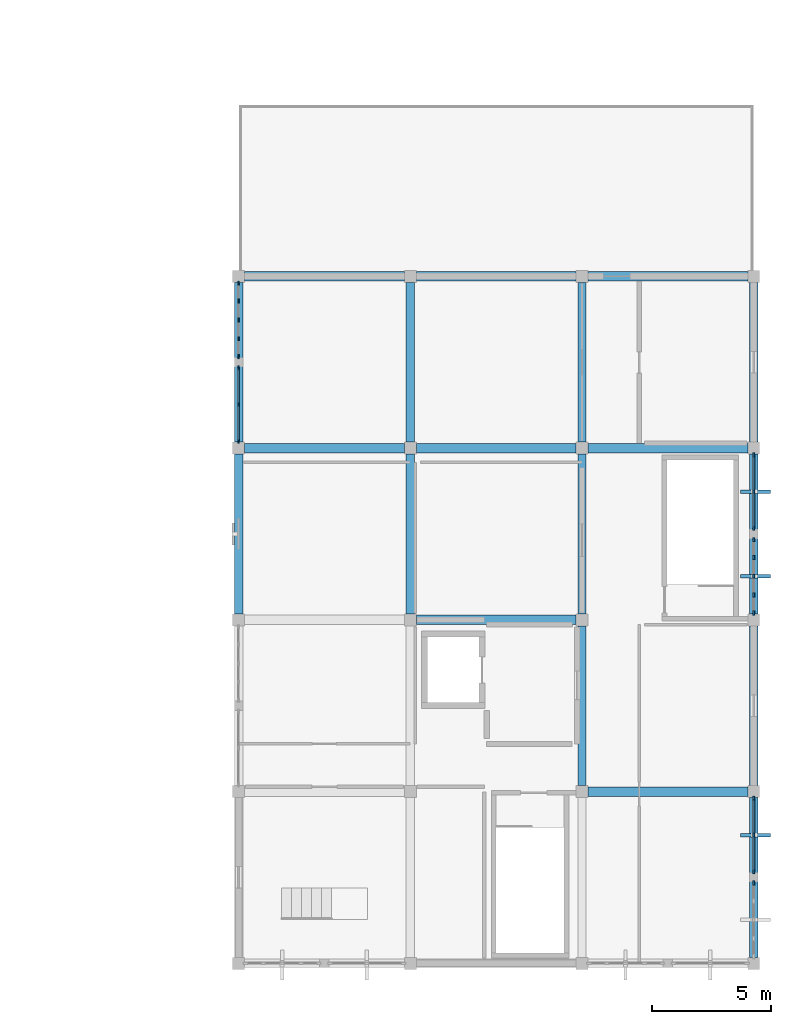
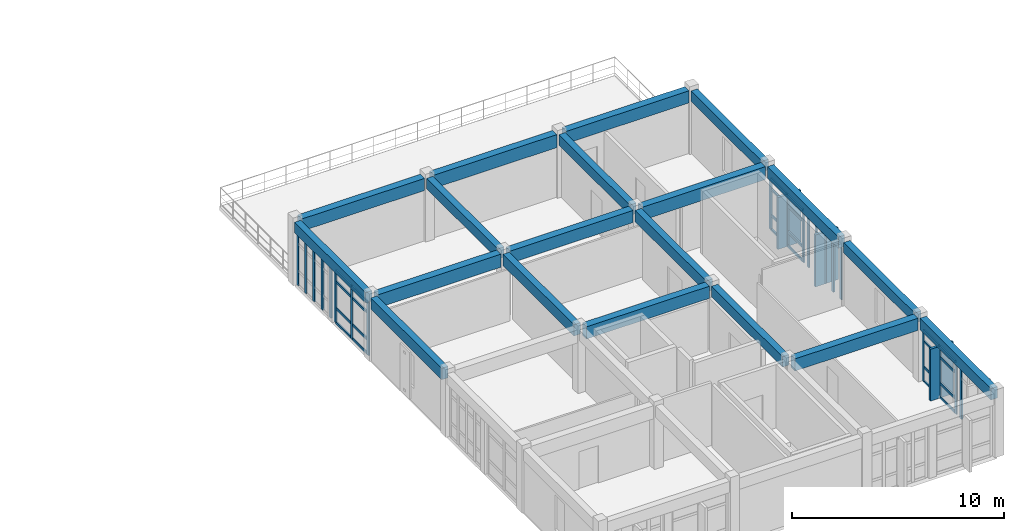
# One storey, part 3 of 14: 47 members, 19 beams, 6 elements without a shape of their own.
"""IFC4 building model written with IfcOpenShell, lengths in metres."""

import ifcopenshell
import ifcopenshell.guid

model = None  # the IFC model being written
_history = None  # IfcOwnerHistory: only IFC2X3 demands one
_inside = {}  # id of a spatial element -> (the spatial element, [elements in it])
_under = {}  # id of a project, library or spatial element -> (it, [spatial elements below it])
_declared = {}  # id of a project -> (the project, [libraries it declares])
_typed = {}  # id of a type object -> (the type object, [elements of that type])
_made_of = {}  # id of a material, layer set ... -> (it, [elements and type objects made of it])


def new_model(schema):
    """Start an empty IFC model of exactly this schema.

    Asked for "IFC4X3", IfcOpenShell would pick the latest addendum, in which some entities
    have other attributes; the version numbers below select the first issue.
    IFC2X3 requires an IfcOwnerHistory on every rooted entity: one is made here for all.
    """
    global model, _history
    if schema == "IFC4X3":
        model = ifcopenshell.file(schema_version=(4, 3, 0, 0))
    else:
        model = ifcopenshell.file(schema=schema)
    _inside.clear()
    _under.clear()
    _declared.clear()
    _typed.clear()
    _made_of.clear()
    _history = None
    if model.schema == "IFC2X3":
        org = make("IfcOrganization", Name="unknown")
        user = make(
            "IfcPersonAndOrganization",
            ThePerson=make("IfcPerson", FamilyName="unknown"),
            TheOrganization=org,
        )
        app = make(
            "IfcApplication",
            ApplicationDeveloper=org,
            Version="unknown",
            ApplicationFullName="unknown",
            ApplicationIdentifier="unknown",
        )
        _history = make(
            "IfcOwnerHistory",
            OwningUser=user,
            OwningApplication=app,
            ChangeAction="ADDED",
            CreationDate=0,
        )
    return model


def make(cls, **values):
    """One entity of the class cls with the attributes given. An attribute that is None is left unset."""
    return model.create_entity(
        cls, **{name: value for name, value in values.items() if value is not None}
    )


def rooted(cls, **values):
    """An entity with a GlobalId (a new one), such as an element, a storey or a relation."""
    return make(cls, GlobalId=ifcopenshell.guid.new(), OwnerHistory=_history, **values)


def si_unit(unit_type, name, prefix=None):
    """IfcSIUnit, for example si_unit("LENGTHUNIT", "METRE", prefix="MILLI")."""
    return make("IfcSIUnit", UnitType=unit_type, Prefix=prefix, Name=name)


def assignment(units):
    """IfcUnitAssignment: the units of a project."""
    return None if units is None else make("IfcUnitAssignment", Units=units)


def point(xyz):
    """IfcCartesianPoint."""
    return None if xyz is None else make("IfcCartesianPoint", Coordinates=xyz)


def direction(xyz):
    """IfcDirection."""
    return None if xyz is None else make("IfcDirection", DirectionRatios=xyz)


def frame(location, z_axis=None, x_axis=None):
    """IfcAxis2Placement3D, a coordinate frame: its origin and axes. An axis left out is left unset."""
    return make(
        "IfcAxis2Placement3D",
        Location=point(location),
        Axis=direction(z_axis),
        RefDirection=direction(x_axis),
    )


def frame_2d(location, x_axis=None):
    """IfcAxis2Placement2D, a coordinate frame in the plane: its origin and x axis."""
    return make(
        "IfcAxis2Placement2D", Location=point(location), RefDirection=direction(x_axis)
    )


def origin():
    """The frame at (0, 0, 0) with its axes left unset."""
    return frame((0.0, 0.0, 0.0))


def origin_2d():
    """The frame at (0, 0) in the plane with its x axis left unset."""
    return frame_2d((0.0, 0.0))


def place(relative_to, where):
    """IfcLocalPlacement: puts the frame where relative to a parent placement (None: the world)."""
    return make(
        "IfcLocalPlacement", PlacementRelTo=relative_to, RelativePlacement=where
    )


def context(
    kind, dimensions, precision=None, world=None, true_north=None, identifier=None
):
    """IfcGeometricRepresentationContext, for example the 3D "Model" context."""
    return make(
        "IfcGeometricRepresentationContext",
        ContextIdentifier=identifier,
        ContextType=kind,
        CoordinateSpaceDimension=dimensions,
        Precision=precision,
        WorldCoordinateSystem=world,
        TrueNorth=true_north,
    )


def subcontext(parent, identifier, kind, view, scale=None):
    """IfcGeometricRepresentationSubContext, for example "Body" below "Model"."""
    return make(
        "IfcGeometricRepresentationSubContext",
        ContextIdentifier=identifier,
        ContextType=kind,
        ParentContext=parent,
        TargetScale=scale,
        TargetView=view,
    )


def project(units=None, contexts=None):
    """IfcProject with its units and contexts."""
    return rooted(
        "IfcProject",
        Name="project",
        RepresentationContexts=contexts,
        UnitsInContext=assignment(units),
    )


def spatial(cls, under=None, at=None, **own):
    """A site, building, storey or space (cls), placed at a placement, below another one or the project."""
    s = rooted(cls, ObjectPlacement=at, **own)
    if under is not None:
        _under.setdefault(under.id(), (under, []))[1].append(s)
    return s


def profile(cls, at=None, kind="AREA", **sizes):
    """A parametric profile (cls). Its sizes go by their IFC names, for example OverallWidth=200.0."""
    return make(cls, ProfileType=kind, Position=at, **sizes)


def rectangle(**sizes):
    """IfcRectangleProfileDef."""
    return profile("IfcRectangleProfileDef", **sizes)


def extrude(swept, where, along, depth):
    """IfcExtrudedAreaSolid: the profile swept, set in the frame where, extruded along a direction by depth."""
    return make(
        "IfcExtrudedAreaSolid",
        SweptArea=swept,
        Position=where,
        ExtrudedDirection=direction(along),
        Depth=depth,
    )


def shape(context_of_items, identifier, shape_type, items):
    """IfcShapeRepresentation: the items that make up one representation, for example the "Body"."""
    return make(
        "IfcShapeRepresentation",
        ContextOfItems=context_of_items,
        RepresentationIdentifier=identifier,
        RepresentationType=shape_type,
        Items=items,
    )


def material(Name=None, Category=None):
    """IfcMaterial."""
    return make("IfcMaterial", Name=Name, Category=Category)


def layer(
    of_material, thickness, ventilated=None, Name=None, Category=None, Priority=None
):
    """IfcMaterialLayer: one layer of a wall or slab, of a material (None: an air gap)."""
    return make(
        "IfcMaterialLayer",
        Material=of_material,
        LayerThickness=thickness,
        IsVentilated=ventilated,
        Name=Name,
        Category=Category,
        Priority=Priority,
    )


def layer_set(layers, Name=None):
    """IfcMaterialLayerSet."""
    return make("IfcMaterialLayerSet", MaterialLayers=layers, LayerSetName=Name)


def material_profile(
    of_material, cross_section, Name=None, Category=None, Priority=None
):
    """IfcMaterialProfile: a cross section and its material."""
    return make(
        "IfcMaterialProfile",
        Name=Name,
        Material=of_material,
        Profile=cross_section,
        Priority=Priority,
        Category=Category,
    )


def profile_set(profiles, Name=None, composite=None):
    """IfcMaterialProfileSet."""
    return make(
        "IfcMaterialProfileSet",
        Name=Name,
        MaterialProfiles=profiles,
        CompositeProfile=composite,
    )


def made_of(thing, what):
    """Note that an element or type object is made of a material, layer set ...; save() writes the relation."""
    if what is not None:
        _made_of.setdefault(what.id(), (what, []))[1].append(thing)
    return thing


def type_object(cls, material=None, **own):
    """A type object (cls), such as IfcWallType, which elements share."""
    return made_of(rooted(cls, **own), material)


def element(
    cls,
    number,
    at=None,
    inside=None,
    cuts=None,
    type_object=None,
    material=None,
    context=None,
    identifier="Body",
    shape_type=None,
    held_by="IfcProductDefinitionShape",
    body=None,
    shapes=None,
    **own,
):
    """One element of the class cls, such as IfcWall. Its Tag is "e" and its number.

    at: its placement. inside: the storey or other place that contains it. cuts: it is an
    opening in that element (IfcRelVoidsElement). A single representation is given by context,
    identifier, shape_type and body (its items); several are given by shapes. held_by: the class
    of the entity that holds the representations. save() writes the other relations.
    """
    e = rooted(cls, Tag="e%d" % number, ObjectPlacement=at, **own)
    if body is not None:
        shapes = [shape(context, identifier, shape_type, body)]
    if shapes is not None:
        e.Representation = make(held_by, Representations=shapes)
    if inside is not None:
        _inside.setdefault(inside.id(), (inside, []))[1].append(e)
    if cuts is not None:
        rooted(
            "IfcRelVoidsElement", RelatingBuildingElement=cuts, RelatedOpeningElement=e
        )
    if type_object is not None:
        _typed.setdefault(type_object.id(), (type_object, []))[1].append(e)
    return made_of(e, material)


def aggregate(whole, parts):
    """IfcRelAggregates: a whole, such as a stair, and the parts it consists of."""
    return rooted("IfcRelAggregates", RelatingObject=whole, RelatedObjects=parts)


def save(model, path):
    """Write the relations noted so far, then the file.

    IfcRelAggregates (storeys below a building ...), IfcRelContainedInSpatialStructure (elements
    in a storey), IfcRelDefinesByType, IfcRelAssociatesMaterial and IfcRelDeclares: one each for
    every whole, place, type object, material and project.
    """
    for whole, parts in _under.values():
        aggregate(whole, parts)
    for where, things in _inside.values():
        rooted(
            "IfcRelContainedInSpatialStructure",
            RelatedElements=things,
            RelatingStructure=where,
        )
    for kind, things in _typed.values():
        rooted("IfcRelDefinesByType", RelatedObjects=things, RelatingType=kind)
    for what, things in _made_of.values():
        rooted("IfcRelAssociatesMaterial", RelatedObjects=things, RelatingMaterial=what)
    for by, libraries in _declared.values():
        rooted("IfcRelDeclares", RelatingContext=by, RelatedDefinitions=libraries)
    model.write(path)


model = new_model("IFC4")

# Units and contexts
model_context = context("Model", 3, precision=1e-05, world=origin(), true_north=direction((0.0, 1.0)))
body_context = subcontext(model_context, "Body", "Model", "MODEL_VIEW")
ifc_project = project(units=[si_unit("LENGTHUNIT", "METRE"), si_unit("AREAUNIT", "SQUARE_METRE"), si_unit("VOLUMEUNIT", "CUBIC_METRE"), si_unit("PLANEANGLEUNIT", "RADIAN"), si_unit("MASSUNIT", "GRAM", prefix="KILO")], contexts=[model_context])

# Site, building, storey
site_placement = place(None, origin())
site = spatial("IfcSite", under=ifc_project, at=site_placement, CompositionType="ELEMENT")
building_placement = place(site_placement, origin())
building = spatial("IfcBuilding", under=site, at=building_placement, Name="Koriwan Promenade Central Fire Station", CompositionType="ELEMENT")
storey_placement = place(building_placement, frame((0.0, 0.0, 21.300048828125)))
storey = spatial("IfcBuildingStorey", under=building, at=storey_placement, Name="L05", CompositionType="ELEMENT", Elevation=21.300048828125)

# Beams
ifc_material_1 = material(Name="Concrete C35/45", Category="concrete")
ifc_material_profile_1 = material_profile(ifc_material_1, rectangle(XDim=0.35009765625, YDim=0.60009765625, at=origin_2d()), Name="RC-BM-350x600")
ifc_profile_set_1 = profile_set([ifc_material_profile_1], Name="Concrete C35/45")
beam_type_1 = type_object("IfcBeamType", Name="Beam_RC-BM-350x600", PredefinedType="BEAM", material=ifc_profile_set_1)
for number, where, z_axis, x_axis, name in (
    (1, (151.199951171875, 21.85009765625, 3.349853515625), (0.0, 1.0, 0.0), (-1.0, 0.0, 0.0), "V5 L05 girder Y-1004"),
    (2, (158.39990234375, 21.85009765625, 3.349853515625), (0.0, 1.0, 0.0), (-1.0, 0.0, 0.0), "V5 L05 girder Y-1008"),
    (3, (165.60009765625, 7.449951171875, 3.349853515625), (0.0, 1.0, 0.0), (-1.0, 0.0, 0.0), "V5 L05 girder Y-1010"),
    (4, (165.60009765625, 21.85009765625, 3.349853515625), (0.0, 1.0, 0.0), (-1.0, 0.0, 0.0), "V5 L05 girder Y-1012"),
    (5, (172.800048828125, 7.449951171875, 3.349853515625), (0.0, 1.0, 0.0), (-1.0, 0.0, 0.0), "V5 L05 girder Y-1014"),
    (6, (172.800048828125, 21.85009765625, 3.349853515625), (0.0, 1.0, 0.0), (-1.0, 0.0, 0.0), "V5 L05 girder Y-1016"),
):
    element("IfcBeam", number, at=place(storey_placement, frame(where, z_axis=z_axis, x_axis=x_axis)), inside=storey, type_object=beam_type_1, Name=name, PredefinedType="BEAM", context=body_context, shape_type="SweptSolid", body=[
        extrude(rectangle(XDim=0.35009765625, YDim=0.60009765625, at=origin_2d()), origin(), (0.0, 0.0, 1.0), 6.699951171875),
    ])
ifc_material_profile_2 = material_profile(ifc_material_1, rectangle(XDim=0.35009765625, YDim=0.64990234375, at=origin_2d()), Name="RC-BM-350x650")
ifc_profile_set_2 = profile_set([ifc_material_profile_2], Name="Concrete C35/45")
beam_type_2 = type_object("IfcBeamType", Name="Beam_RC-BM-350x650", PredefinedType="BEAM", material=ifc_profile_set_2)
for number, where, z_axis, x_axis, name in (
    (7, (151.199951171875, 14.64990234375, 3.324951171875), (0.0, 1.0, 0.0), (-1.0, 0.0, 0.0), "V5 L05 girder Y-1003"),
    (8, (158.39990234375, 14.64990234375, 3.324951171875), (0.0, 1.0, 0.0), (-1.0, 0.0, 0.0), "V5 L05 girder Y-1007"),
    (9, (165.60009765625, 14.64990234375, 3.324951171875), (0.0, 1.0, 0.0), (-1.0, 0.0, 0.0), "V5 L05 girder Y-1011"),
):
    element("IfcBeam", number, at=place(storey_placement, frame(where, z_axis=z_axis, x_axis=x_axis)), inside=storey, type_object=beam_type_2, Name=name, PredefinedType="BEAM", context=body_context, shape_type="SweptSolid", body=[
        extrude(rectangle(XDim=0.35009765625, YDim=0.64990234375, at=origin_2d()), origin(), (0.0, 0.0, 1.0), 6.7001953125),
    ])
beam_1_placement = place(storey_placement, frame((172.800048828125, 0.25, 3.324951171875), z_axis=(0.0, 1.0, 0.0), x_axis=(-1.0, 0.0, 0.0)))
element("IfcBeam", 10, at=beam_1_placement, inside=storey, type_object=beam_type_2, Name="V5 L05 girder Y-1013", PredefinedType="BEAM", context=body_context, shape_type="SweptSolid", body=[
    extrude(rectangle(XDim=0.35009765625, YDim=0.64990234375, at=origin_2d()), origin(), (0.0, 0.0, 1.0), 6.699951171875),
])
beam_2_placement = place(storey_placement, frame((172.800048828125, 14.64990234375, 3.324951171875), z_axis=(0.0, 1.0, 0.0), x_axis=(-1.0, 0.0, 0.0)))
element("IfcBeam", 11, at=beam_2_placement, inside=storey, type_object=beam_type_2, Name="V5 L05 girder Y-1015", PredefinedType="BEAM", context=body_context, shape_type="SweptSolid", body=[
    extrude(rectangle(XDim=0.35009765625, YDim=0.64990234375, at=origin_2d()), origin(), (0.0, 0.0, 1.0), 6.7001953125),
])
ifc_material_profile_3 = material_profile(ifc_material_1, rectangle(XDim=0.39990234375, YDim=0.699951171875, at=origin_2d()), Name="RC-BM-400x700")
ifc_profile_set_3 = profile_set([ifc_material_profile_3], Name="Concrete C35/45")
beam_type_3 = type_object("IfcBeamType", Name="Beam_RC-BM-400x700", PredefinedType="BEAM", material=ifc_profile_set_3)
beam_3_placement = place(storey_placement, frame((165.85009765625, 7.199951171875, 3.300048828125), z_axis=(1.0, 0.0, 0.0), x_axis=(0.0, 1.0, 0.0)))
element("IfcBeam", 12, at=beam_3_placement, inside=storey, type_object=beam_type_3, Name="V5 L05 girder X-992", PredefinedType="BEAM", context=body_context, shape_type="SweptSolid", body=[
    extrude(rectangle(XDim=0.39990234375, YDim=0.699951171875, at=origin_2d()), origin(), (0.0, 0.0, 1.0), 6.699951171875),
])
for number, where, z_axis, x_axis, name in (
    (13, (158.64990234375, 14.39990234375, 3.300048828125), (1.0, 0.0, 0.0), (0.0, 1.0, 0.0), "V5 L05 girder X-994"),
    (14, (158.64990234375, 21.60009765625, 3.300048828125), (1.0, 0.0, 0.0), (0.0, 1.0, 0.0), "V5 L05 girder X-996"),
):
    element("IfcBeam", number, at=place(storey_placement, frame(where, z_axis=z_axis, x_axis=x_axis)), inside=storey, type_object=beam_type_3, Name=name, PredefinedType="BEAM", context=body_context, shape_type="SweptSolid", body=[
        extrude(rectangle(XDim=0.39990234375, YDim=0.699951171875, at=origin_2d()), origin(), (0.0, 0.0, 1.0), 6.7001953125),
    ])
for number, where, z_axis, x_axis, name in (
    (15, (151.449951171875, 28.800048828125, 3.300048828125), (1.0, 0.0, 0.0), (0.0, 1.0, 0.0), "V5 L05 girder X-998"),
    (16, (165.85009765625, 28.800048828125, 3.300048828125), (1.0, 0.0, 0.0), (0.0, 1.0, 0.0), "V5 L05 girder X-1000"),
):
    element("IfcBeam", number, at=place(storey_placement, frame(where, z_axis=z_axis, x_axis=x_axis)), inside=storey, type_object=beam_type_3, Name=name, PredefinedType="BEAM", context=body_context, shape_type="SweptSolid", body=[
        extrude(rectangle(XDim=0.39990234375, YDim=0.699951171875, at=origin_2d()), origin(), (0.0, 0.0, 1.0), 6.699951171875),
    ])
ifc_material_profile_4 = material_profile(ifc_material_1, rectangle(XDim=0.39990234375, YDim=0.75, at=origin_2d()), Name="RC-BM-400x750")
ifc_profile_set_4 = profile_set([ifc_material_profile_4], Name="Concrete C35/45")
beam_type_4 = type_object("IfcBeamType", Name="Beam_RC-BM-400x750", PredefinedType="BEAM", material=ifc_profile_set_4)
for number, where, z_axis, x_axis, name in (
    (17, (151.449951171875, 21.60009765625, 3.27490234375), (1.0, 0.0, 0.0), (0.0, 1.0, 0.0), "V5 L05 girder X-995"),
    (18, (165.85009765625, 21.60009765625, 3.27490234375), (1.0, 0.0, 0.0), (0.0, 1.0, 0.0), "V5 L05 girder X-997"),
):
    element("IfcBeam", number, at=place(storey_placement, frame(where, z_axis=z_axis, x_axis=x_axis)), inside=storey, type_object=beam_type_4, Name=name, PredefinedType="BEAM", context=body_context, shape_type="SweptSolid", body=[
        extrude(rectangle(XDim=0.39990234375, YDim=0.75, at=origin_2d()), origin(), (0.0, 0.0, 1.0), 6.699951171875),
    ])
beam_4_placement = place(storey_placement, frame((158.64990234375, 28.800048828125, 3.27490234375), z_axis=(1.0, 0.0, 0.0), x_axis=(0.0, 1.0, 0.0)))
element("IfcBeam", 19, at=beam_4_placement, inside=storey, type_object=beam_type_4, Name="V5 L05 girder X-999", PredefinedType="BEAM", context=body_context, shape_type="SweptSolid", body=[
    extrude(rectangle(XDim=0.39990234375, YDim=0.75, at=origin_2d()), origin(), (0.0, 0.0, 1.0), 6.7001953125),
])

# Curtain wall, member
ifc_material_2 = material(Name="Aluminium EN AW-6063-T6 and low-E glazing", Category="aluminium")
ifc_layer_1 = layer(ifc_material_2, 0.159912109375, Name="Aluminium EN AW-6063-T6 and low-E glazing")
ifc_layer_set_1 = layer_set([ifc_layer_1], Name="Aluminium EN AW-6063-T6 and low-E glazing")
curtain_wall_type_1 = type_object("IfcCurtainWallType", Name="CurtainWall_90_315x299", PredefinedType="USERDEFINED", material=ifc_layer_set_1)
curtain_wall_1_placement = place(storey_placement, origin())
curtain_wall_1 = element("IfcCurtainWall", 20, at=curtain_wall_1_placement, inside=storey, type_object=curtain_wall_type_1, Name="V5 L05 unitised curtain wall 277", ObjectType="UNITISED CURTAIN WALL", PredefinedType="USERDEFINED")
ifc_material_3 = material(Name="Aluminium EN AW-6063-T6", Category="aluminium")
ifc_material_profile_5 = material_profile(ifc_material_3, rectangle(XDim=0.074951171875, YDim=0.179931640625, at=origin_2d()), Name="ALU-MUL-75x180")
ifc_profile_set_5 = profile_set([ifc_material_profile_5], Name="Aluminium EN AW-6063-T6")
member_type_1 = type_object("IfcMemberType", Name="CWMullion_ALU-MUL-75x180", PredefinedType="MULLION", material=ifc_profile_set_5)
member_1_placement = place(storey_placement, frame((172.800048828125, 3.362548828125, 0.0), z_axis=(0.0, 0.0, 1.0), x_axis=(-1.0, 0.0, 0.0)))
member_1 = element("IfcMember", 21, at=member_1_placement, type_object=member_type_1, Name="CW-90 mullion 5", PredefinedType="MULLION", context=body_context, shape_type="SweptSolid", body=[
    extrude(rectangle(XDim=0.074951171875, YDim=0.179931640625, at=origin_2d()), origin(), (0.0, 0.0, 1.0), 2.989990234375),
])
aggregate(curtain_wall_1, [member_1])

# Curtain wall, members
ifc_layer_2 = layer(ifc_material_2, 0.159912109375, Name="Aluminium EN AW-6063-T6 and low-E glazing")
ifc_layer_set_2 = layer_set([ifc_layer_2], Name="Aluminium EN AW-6063-T6 and low-E glazing")
curtain_wall_type_2 = type_object("IfcCurtainWallType", Name="CurtainWall_15_315x299", PredefinedType="USERDEFINED", material=ifc_layer_set_2)
curtain_wall_2_placement = place(storey_placement, origin())
curtain_wall_2 = element("IfcCurtainWall", 22, at=curtain_wall_2_placement, inside=storey, type_object=curtain_wall_type_2, Name="V5 L05 unitised curtain wall 278", ObjectType="UNITISED CURTAIN WALL", PredefinedType="USERDEFINED")
member_2_placement = place(storey_placement, frame((172.800048828125, 3.83740234375, 0.0), z_axis=(0.0, 0.0, 1.0), x_axis=(-1.0, 0.0, 0.0)))
member_2 = element("IfcMember", 23, at=member_2_placement, type_object=member_type_1, Name="CW-15 mullion 1", PredefinedType="MULLION", context=body_context, shape_type="SweptSolid", body=[
    extrude(rectangle(XDim=0.074951171875, YDim=0.179931640625, at=origin_2d()), origin(), (0.0, 0.0, 1.0), 2.989990234375),
])
member_3_placement = place(storey_placement, frame((172.800048828125, 5.375, 0.0), z_axis=(0.0, 0.0, 1.0), x_axis=(-1.0, 0.0, 0.0)))
member_3 = element("IfcMember", 24, at=member_3_placement, type_object=member_type_1, Name="CW-15 mullion 2", PredefinedType="MULLION", context=body_context, shape_type="SweptSolid", body=[
    extrude(rectangle(XDim=0.074951171875, YDim=0.179931640625, at=origin_2d()), origin(), (0.0, 0.0, 1.0), 2.989990234375),
])
member_4_placement = place(storey_placement, frame((172.800048828125, 6.91259765625, 0.0), z_axis=(0.0, 0.0, 1.0), x_axis=(-1.0, 0.0, 0.0)))
member_4 = element("IfcMember", 25, at=member_4_placement, type_object=member_type_1, Name="CW-15 mullion 3", PredefinedType="MULLION", context=body_context, shape_type="SweptSolid", body=[
    extrude(rectangle(XDim=0.074951171875, YDim=0.179931640625, at=origin_2d()), origin(), (0.0, 0.0, 1.0), 2.989990234375),
])

curtain_wall_3_placement = place(storey_placement, origin())
curtain_wall_3 = element("IfcCurtainWall", 26, at=curtain_wall_3_placement, inside=storey, type_object=curtain_wall_type_1, Name="V5 L05 unitised curtain wall 279", ObjectType="UNITISED CURTAIN WALL", PredefinedType="USERDEFINED")
member_5_placement = place(storey_placement, frame((172.800048828125, 14.6875, 0.0), z_axis=(0.0, 0.0, 1.0), x_axis=(-1.0, 0.0, 0.0)))
member_5 = element("IfcMember", 27, at=member_5_placement, type_object=member_type_1, Name="CW-90 mullion 1", PredefinedType="MULLION", context=body_context, shape_type="SweptSolid", body=[
    extrude(rectangle(XDim=0.074951171875, YDim=0.179931640625, at=origin_2d()), origin(), (0.0, 0.0, 1.0), 2.989990234375),
])
member_6_placement = place(storey_placement, frame((172.800048828125, 15.4375, 0.0), z_axis=(0.0, 0.0, 1.0), x_axis=(-1.0, 0.0, 0.0)))
member_6 = element("IfcMember", 28, at=member_6_placement, type_object=member_type_1, Name="CW-90 mullion 2", PredefinedType="MULLION", context=body_context, shape_type="SweptSolid", body=[
    extrude(rectangle(XDim=0.074951171875, YDim=0.179931640625, at=origin_2d()), origin(), (0.0, 0.0, 1.0), 2.989990234375),
])
member_7_placement = place(storey_placement, frame((172.800048828125, 16.22509765625, 0.0), z_axis=(0.0, 0.0, 1.0), x_axis=(-1.0, 0.0, 0.0)))
member_7 = element("IfcMember", 29, at=member_7_placement, type_object=member_type_1, Name="CW-90 mullion 3", PredefinedType="MULLION", context=body_context, shape_type="SweptSolid", body=[
    extrude(rectangle(XDim=0.074951171875, YDim=0.179931640625, at=origin_2d()), origin(), (0.0, 0.0, 1.0), 2.989990234375),
])
member_8_placement = place(storey_placement, frame((172.800048828125, 17.012451171875, 0.0), z_axis=(0.0, 0.0, 1.0), x_axis=(-1.0, 0.0, 0.0)))
member_8 = element("IfcMember", 30, at=member_8_placement, type_object=member_type_1, Name="CW-90 mullion 4", PredefinedType="MULLION", context=body_context, shape_type="SweptSolid", body=[
    extrude(rectangle(XDim=0.074951171875, YDim=0.179931640625, at=origin_2d()), origin(), (0.0, 0.0, 1.0), 2.989990234375),
])
member_9_placement = place(storey_placement, frame((172.800048828125, 17.762451171875, 0.0), z_axis=(0.0, 0.0, 1.0), x_axis=(-1.0, 0.0, 0.0)))
member_9 = element("IfcMember", 31, at=member_9_placement, type_object=member_type_1, Name="CW-90 mullion 5", PredefinedType="MULLION", context=body_context, shape_type="SweptSolid", body=[
    extrude(rectangle(XDim=0.074951171875, YDim=0.179931640625, at=origin_2d()), origin(), (0.0, 0.0, 1.0), 2.989990234375),
])
aggregate(curtain_wall_3, [member_5, member_6, member_7, member_8, member_9])

curtain_wall_4_placement = place(storey_placement, origin())
curtain_wall_4 = element("IfcCurtainWall", 32, at=curtain_wall_4_placement, inside=storey, type_object=curtain_wall_type_2, Name="V5 L05 unitised curtain wall 280", ObjectType="UNITISED CURTAIN WALL", PredefinedType="USERDEFINED")
member_10_placement = place(storey_placement, frame((172.800048828125, 18.237548828125, 0.0), z_axis=(0.0, 0.0, 1.0), x_axis=(-1.0, 0.0, 0.0)))
member_10 = element("IfcMember", 33, at=member_10_placement, type_object=member_type_1, Name="CW-15 mullion 1", PredefinedType="MULLION", context=body_context, shape_type="SweptSolid", body=[
    extrude(rectangle(XDim=0.074951171875, YDim=0.179931640625, at=origin_2d()), origin(), (0.0, 0.0, 1.0), 2.989990234375),
])
member_11_placement = place(storey_placement, frame((172.800048828125, 19.77490234375, 0.0), z_axis=(0.0, 0.0, 1.0), x_axis=(-1.0, 0.0, 0.0)))
member_11 = element("IfcMember", 34, at=member_11_placement, type_object=member_type_1, Name="CW-15 mullion 2", PredefinedType="MULLION", context=body_context, shape_type="SweptSolid", body=[
    extrude(rectangle(XDim=0.074951171875, YDim=0.179931640625, at=origin_2d()), origin(), (0.0, 0.0, 1.0), 2.989990234375),
])
member_12_placement = place(storey_placement, frame((172.800048828125, 21.3125, 0.0), z_axis=(0.0, 0.0, 1.0), x_axis=(-1.0, 0.0, 0.0)))
member_12 = element("IfcMember", 35, at=member_12_placement, type_object=member_type_1, Name="CW-15 mullion 3", PredefinedType="MULLION", context=body_context, shape_type="SweptSolid", body=[
    extrude(rectangle(XDim=0.074951171875, YDim=0.179931640625, at=origin_2d()), origin(), (0.0, 0.0, 1.0), 2.989990234375),
])

ifc_layer_3 = layer(ifc_material_2, 0.159912109375, Name="Aluminium EN AW-6063-T6 and low-E glazing")
ifc_layer_set_3 = layer_set([ifc_layer_3], Name="Aluminium EN AW-6063-T6 and low-E glazing")
curtain_wall_type_3 = type_object("IfcCurtainWallType", Name="CurtainWall_91_315x304", PredefinedType="USERDEFINED", material=ifc_layer_set_3)
curtain_wall_5_placement = place(storey_placement, origin())
curtain_wall_5 = element("IfcCurtainWall", 36, at=curtain_wall_5_placement, inside=storey, type_object=curtain_wall_type_3, Name="V5 L05 unitised curtain wall 281", ObjectType="UNITISED CURTAIN WALL", PredefinedType="USERDEFINED")
member_13_placement = place(storey_placement, frame((151.199951171875, 28.512451171875, 0.0), z_axis=(0.0, 0.0, 1.0), x_axis=(1.0, 0.0, 0.0)))
member_13 = element("IfcMember", 37, at=member_13_placement, type_object=member_type_1, Name="CW-91 mullion 1", PredefinedType="MULLION", context=body_context, shape_type="SweptSolid", body=[
    extrude(rectangle(XDim=0.074951171875, YDim=0.179931640625, at=origin_2d()), origin(), (0.0, 0.0, 1.0), 3.0400390625),
])
member_14_placement = place(storey_placement, frame((151.199951171875, 27.762451171875, 0.0), z_axis=(0.0, 0.0, 1.0), x_axis=(1.0, 0.0, 0.0)))
member_14 = element("IfcMember", 38, at=member_14_placement, type_object=member_type_1, Name="CW-91 mullion 2", PredefinedType="MULLION", context=body_context, shape_type="SweptSolid", body=[
    extrude(rectangle(XDim=0.074951171875, YDim=0.179931640625, at=origin_2d()), origin(), (0.0, 0.0, 1.0), 3.0400390625),
])
member_15_placement = place(storey_placement, frame((151.199951171875, 26.97509765625, 0.0), z_axis=(0.0, 0.0, 1.0), x_axis=(1.0, 0.0, 0.0)))
member_15 = element("IfcMember", 39, at=member_15_placement, type_object=member_type_1, Name="CW-91 mullion 3", PredefinedType="MULLION", context=body_context, shape_type="SweptSolid", body=[
    extrude(rectangle(XDim=0.074951171875, YDim=0.179931640625, at=origin_2d()), origin(), (0.0, 0.0, 1.0), 3.0400390625),
])
member_16_placement = place(storey_placement, frame((151.199951171875, 26.1875, 0.0), z_axis=(0.0, 0.0, 1.0), x_axis=(1.0, 0.0, 0.0)))
member_16 = element("IfcMember", 40, at=member_16_placement, type_object=member_type_1, Name="CW-91 mullion 4", PredefinedType="MULLION", context=body_context, shape_type="SweptSolid", body=[
    extrude(rectangle(XDim=0.074951171875, YDim=0.179931640625, at=origin_2d()), origin(), (0.0, 0.0, 1.0), 3.0400390625),
])
member_17_placement = place(storey_placement, frame((151.199951171875, 25.4375, 0.0), z_axis=(0.0, 0.0, 1.0), x_axis=(1.0, 0.0, 0.0)))
member_17 = element("IfcMember", 41, at=member_17_placement, type_object=member_type_1, Name="CW-91 mullion 5", PredefinedType="MULLION", context=body_context, shape_type="SweptSolid", body=[
    extrude(rectangle(XDim=0.074951171875, YDim=0.179931640625, at=origin_2d()), origin(), (0.0, 0.0, 1.0), 3.0400390625),
])
aggregate(curtain_wall_5, [member_13, member_14, member_15, member_16, member_17])

ifc_layer_4 = layer(ifc_material_2, 0.159912109375, Name="Aluminium EN AW-6063-T6 and low-E glazing")
ifc_layer_set_4 = layer_set([ifc_layer_4], Name="Aluminium EN AW-6063-T6 and low-E glazing")
curtain_wall_type_4 = type_object("IfcCurtainWallType", Name="CurtainWall_92_315x304", PredefinedType="USERDEFINED", material=ifc_layer_set_4)
curtain_wall_6_placement = place(storey_placement, origin())
curtain_wall_6 = element("IfcCurtainWall", 42, at=curtain_wall_6_placement, inside=storey, type_object=curtain_wall_type_4, Name="V5 L05 unitised curtain wall 282", ObjectType="UNITISED CURTAIN WALL", PredefinedType="USERDEFINED")
member_18_placement = place(storey_placement, frame((151.199951171875, 24.96240234375, 0.0), z_axis=(0.0, 0.0, 1.0), x_axis=(1.0, 0.0, 0.0)))
member_18 = element("IfcMember", 43, at=member_18_placement, type_object=member_type_1, Name="CW-92 mullion 1", PredefinedType="MULLION", context=body_context, shape_type="SweptSolid", body=[
    extrude(rectangle(XDim=0.074951171875, YDim=0.179931640625, at=origin_2d()), origin(), (0.0, 0.0, 1.0), 3.0400390625),
])
member_19_placement = place(storey_placement, frame((151.199951171875, 23.425048828125, 0.0), z_axis=(0.0, 0.0, 1.0), x_axis=(1.0, 0.0, 0.0)))
member_19 = element("IfcMember", 44, at=member_19_placement, type_object=member_type_1, Name="CW-92 mullion 2", PredefinedType="MULLION", context=body_context, shape_type="SweptSolid", body=[
    extrude(rectangle(XDim=0.074951171875, YDim=0.179931640625, at=origin_2d()), origin(), (0.0, 0.0, 1.0), 3.0400390625),
])
member_20_placement = place(storey_placement, frame((151.199951171875, 21.887451171875, 0.0), z_axis=(0.0, 0.0, 1.0), x_axis=(1.0, 0.0, 0.0)))
member_20 = element("IfcMember", 45, at=member_20_placement, type_object=member_type_1, Name="CW-92 mullion 3", PredefinedType="MULLION", context=body_context, shape_type="SweptSolid", body=[
    extrude(rectangle(XDim=0.074951171875, YDim=0.179931640625, at=origin_2d()), origin(), (0.0, 0.0, 1.0), 3.0400390625),
])

# Member
ifc_material_profile_6 = material_profile(ifc_material_3, rectangle(XDim=0.074951171875, YDim=0.139892578125, at=origin_2d()), Name="ALU-TRN-75x140")
ifc_profile_set_6 = profile_set([ifc_material_profile_6], Name="Aluminium EN AW-6063-T6")
member_type_2 = type_object("IfcMemberType", Name="CWTransom_ALU-TRN-75x140", PredefinedType="USERDEFINED", material=ifc_profile_set_6)
member_21_placement = place(storey_placement, frame((172.800048828125, 3.875, 0.037353515625), z_axis=(0.0, 1.0, 0.0), x_axis=(-1.0, 0.0, 0.0)))
member_21 = element("IfcMember", 46, at=member_21_placement, type_object=member_type_2, Name="CW-15 transom 1.1", ObjectType="TRANSOM", PredefinedType="USERDEFINED", context=body_context, shape_type="SweptSolid", body=[
    extrude(rectangle(XDim=0.074951171875, YDim=0.139892578125, at=origin_2d()), origin(), (0.0, 0.0, 1.0), 1.46240234375),
])

member_22_placement = place(storey_placement, frame((172.800048828125, 3.875, 0.849853515625), z_axis=(0.0, 1.0, 0.0), x_axis=(-1.0, 0.0, 0.0)))
member_22 = element("IfcMember", 47, at=member_22_placement, type_object=member_type_2, Name="CW-15 transom 1.2", ObjectType="TRANSOM", PredefinedType="USERDEFINED", context=body_context, shape_type="SweptSolid", body=[
    extrude(rectangle(XDim=0.074951171875, YDim=0.139892578125, at=origin_2d()), origin(), (0.0, 0.0, 1.0), 1.46240234375),
])

member_23_placement = place(storey_placement, frame((172.800048828125, 3.875, 2.33984375), z_axis=(0.0, 1.0, 0.0), x_axis=(-1.0, 0.0, 0.0)))
member_23 = element("IfcMember", 48, at=member_23_placement, type_object=member_type_2, Name="CW-15 transom 1.3", ObjectType="TRANSOM", PredefinedType="USERDEFINED", context=body_context, shape_type="SweptSolid", body=[
    extrude(rectangle(XDim=0.074951171875, YDim=0.139892578125, at=origin_2d()), origin(), (0.0, 0.0, 1.0), 1.46240234375),
])

member_24_placement = place(storey_placement, frame((172.800048828125, 3.875, 2.952392578125), z_axis=(0.0, 1.0, 0.0), x_axis=(-1.0, 0.0, 0.0)))
member_24 = element("IfcMember", 49, at=member_24_placement, type_object=member_type_2, Name="CW-15 transom 1.4", ObjectType="TRANSOM", PredefinedType="USERDEFINED", context=body_context, shape_type="SweptSolid", body=[
    extrude(rectangle(XDim=0.074951171875, YDim=0.139892578125, at=origin_2d()), origin(), (0.0, 0.0, 1.0), 1.46240234375),
])

member_25_placement = place(storey_placement, frame((172.800048828125, 5.41259765625, 0.037353515625), z_axis=(0.0, 1.0, 0.0), x_axis=(-1.0, 0.0, 0.0)))
member_25 = element("IfcMember", 50, at=member_25_placement, type_object=member_type_2, Name="CW-15 transom 2.1", ObjectType="TRANSOM", PredefinedType="USERDEFINED", context=body_context, shape_type="SweptSolid", body=[
    extrude(rectangle(XDim=0.074951171875, YDim=0.139892578125, at=origin_2d()), origin(), (0.0, 0.0, 1.0), 1.46240234375),
])

member_26_placement = place(storey_placement, frame((172.800048828125, 5.41259765625, 0.849853515625), z_axis=(0.0, 1.0, 0.0), x_axis=(-1.0, 0.0, 0.0)))
member_26 = element("IfcMember", 51, at=member_26_placement, type_object=member_type_2, Name="CW-15 transom 2.2", ObjectType="TRANSOM", PredefinedType="USERDEFINED", context=body_context, shape_type="SweptSolid", body=[
    extrude(rectangle(XDim=0.074951171875, YDim=0.139892578125, at=origin_2d()), origin(), (0.0, 0.0, 1.0), 1.46240234375),
])

member_27_placement = place(storey_placement, frame((172.800048828125, 5.41259765625, 2.33984375), z_axis=(0.0, 1.0, 0.0), x_axis=(-1.0, 0.0, 0.0)))
member_27 = element("IfcMember", 52, at=member_27_placement, type_object=member_type_2, Name="CW-15 transom 2.3", ObjectType="TRANSOM", PredefinedType="USERDEFINED", context=body_context, shape_type="SweptSolid", body=[
    extrude(rectangle(XDim=0.074951171875, YDim=0.139892578125, at=origin_2d()), origin(), (0.0, 0.0, 1.0), 1.46240234375),
])

member_28_placement = place(storey_placement, frame((172.800048828125, 5.41259765625, 2.952392578125), z_axis=(0.0, 1.0, 0.0), x_axis=(-1.0, 0.0, 0.0)))
member_28 = element("IfcMember", 53, at=member_28_placement, type_object=member_type_2, Name="CW-15 transom 2.4", ObjectType="TRANSOM", PredefinedType="USERDEFINED", context=body_context, shape_type="SweptSolid", body=[
    extrude(rectangle(XDim=0.074951171875, YDim=0.139892578125, at=origin_2d()), origin(), (0.0, 0.0, 1.0), 1.46240234375),
])

aggregate(curtain_wall_2, [member_2, member_3, member_4, member_21, member_22, member_23, member_24, member_25, member_26, member_27, member_28])

member_29_placement = place(storey_placement, frame((172.800048828125, 18.27490234375, 0.037353515625), z_axis=(0.0, 1.0, 0.0), x_axis=(-1.0, 0.0, 0.0)))
member_29 = element("IfcMember", 54, at=member_29_placement, type_object=member_type_2, Name="CW-15 transom 1.1", ObjectType="TRANSOM", PredefinedType="USERDEFINED", context=body_context, shape_type="SweptSolid", body=[
    extrude(rectangle(XDim=0.074951171875, YDim=0.139892578125, at=origin_2d()), origin(), (0.0, 0.0, 1.0), 1.462646484375),
])

member_30_placement = place(storey_placement, frame((172.800048828125, 18.27490234375, 0.849853515625), z_axis=(0.0, 1.0, 0.0), x_axis=(-1.0, 0.0, 0.0)))
member_30 = element("IfcMember", 55, at=member_30_placement, type_object=member_type_2, Name="CW-15 transom 1.2", ObjectType="TRANSOM", PredefinedType="USERDEFINED", context=body_context, shape_type="SweptSolid", body=[
    extrude(rectangle(XDim=0.074951171875, YDim=0.139892578125, at=origin_2d()), origin(), (0.0, 0.0, 1.0), 1.462646484375),
])

member_31_placement = place(storey_placement, frame((172.800048828125, 18.27490234375, 2.33984375), z_axis=(0.0, 1.0, 0.0), x_axis=(-1.0, 0.0, 0.0)))
member_31 = element("IfcMember", 56, at=member_31_placement, type_object=member_type_2, Name="CW-15 transom 1.3", ObjectType="TRANSOM", PredefinedType="USERDEFINED", context=body_context, shape_type="SweptSolid", body=[
    extrude(rectangle(XDim=0.074951171875, YDim=0.139892578125, at=origin_2d()), origin(), (0.0, 0.0, 1.0), 1.462646484375),
])

member_32_placement = place(storey_placement, frame((172.800048828125, 18.27490234375, 2.952392578125), z_axis=(0.0, 1.0, 0.0), x_axis=(-1.0, 0.0, 0.0)))
member_32 = element("IfcMember", 57, at=member_32_placement, type_object=member_type_2, Name="CW-15 transom 1.4", ObjectType="TRANSOM", PredefinedType="USERDEFINED", context=body_context, shape_type="SweptSolid", body=[
    extrude(rectangle(XDim=0.074951171875, YDim=0.139892578125, at=origin_2d()), origin(), (0.0, 0.0, 1.0), 1.462646484375),
])

member_33_placement = place(storey_placement, frame((172.800048828125, 19.8125, 0.037353515625), z_axis=(0.0, 1.0, 0.0), x_axis=(-1.0, 0.0, 0.0)))
member_33 = element("IfcMember", 58, at=member_33_placement, type_object=member_type_2, Name="CW-15 transom 2.1", ObjectType="TRANSOM", PredefinedType="USERDEFINED", context=body_context, shape_type="SweptSolid", body=[
    extrude(rectangle(XDim=0.074951171875, YDim=0.139892578125, at=origin_2d()), origin(), (0.0, 0.0, 1.0), 1.46240234375),
])

member_34_placement = place(storey_placement, frame((172.800048828125, 19.8125, 0.849853515625), z_axis=(0.0, 1.0, 0.0), x_axis=(-1.0, 0.0, 0.0)))
member_34 = element("IfcMember", 59, at=member_34_placement, type_object=member_type_2, Name="CW-15 transom 2.2", ObjectType="TRANSOM", PredefinedType="USERDEFINED", context=body_context, shape_type="SweptSolid", body=[
    extrude(rectangle(XDim=0.074951171875, YDim=0.139892578125, at=origin_2d()), origin(), (0.0, 0.0, 1.0), 1.46240234375),
])

member_35_placement = place(storey_placement, frame((172.800048828125, 19.8125, 2.33984375), z_axis=(0.0, 1.0, 0.0), x_axis=(-1.0, 0.0, 0.0)))
member_35 = element("IfcMember", 60, at=member_35_placement, type_object=member_type_2, Name="CW-15 transom 2.3", ObjectType="TRANSOM", PredefinedType="USERDEFINED", context=body_context, shape_type="SweptSolid", body=[
    extrude(rectangle(XDim=0.074951171875, YDim=0.139892578125, at=origin_2d()), origin(), (0.0, 0.0, 1.0), 1.46240234375),
])

member_36_placement = place(storey_placement, frame((172.800048828125, 19.8125, 2.952392578125), z_axis=(0.0, 1.0, 0.0), x_axis=(-1.0, 0.0, 0.0)))
member_36 = element("IfcMember", 61, at=member_36_placement, type_object=member_type_2, Name="CW-15 transom 2.4", ObjectType="TRANSOM", PredefinedType="USERDEFINED", context=body_context, shape_type="SweptSolid", body=[
    extrude(rectangle(XDim=0.074951171875, YDim=0.139892578125, at=origin_2d()), origin(), (0.0, 0.0, 1.0), 1.46240234375),
])

aggregate(curtain_wall_4, [member_10, member_11, member_12, member_29, member_30, member_31, member_32, member_33, member_34, member_35, member_36])

member_37_placement = place(storey_placement, frame((151.199951171875, 24.925048828125, 0.037353515625), z_axis=(0.0, -1.0, 0.0), x_axis=(1.0, 0.0, 0.0)))
member_37 = element("IfcMember", 62, at=member_37_placement, type_object=member_type_2, Name="CW-92 transom 1.1", ObjectType="TRANSOM", PredefinedType="USERDEFINED", context=body_context, shape_type="SweptSolid", body=[
    extrude(rectangle(XDim=0.074951171875, YDim=0.139892578125, at=origin_2d()), origin(), (0.0, 0.0, 1.0), 1.462646484375),
])

member_38_placement = place(storey_placement, frame((151.199951171875, 24.925048828125, 0.849853515625), z_axis=(0.0, -1.0, 0.0), x_axis=(1.0, 0.0, 0.0)))
member_38 = element("IfcMember", 63, at=member_38_placement, type_object=member_type_2, Name="CW-92 transom 1.2", ObjectType="TRANSOM", PredefinedType="USERDEFINED", context=body_context, shape_type="SweptSolid", body=[
    extrude(rectangle(XDim=0.074951171875, YDim=0.139892578125, at=origin_2d()), origin(), (0.0, 0.0, 1.0), 1.462646484375),
])

member_39_placement = place(storey_placement, frame((151.199951171875, 24.925048828125, 2.389892578125), z_axis=(0.0, -1.0, 0.0), x_axis=(1.0, 0.0, 0.0)))
member_39 = element("IfcMember", 64, at=member_39_placement, type_object=member_type_2, Name="CW-92 transom 1.3", ObjectType="TRANSOM", PredefinedType="USERDEFINED", context=body_context, shape_type="SweptSolid", body=[
    extrude(rectangle(XDim=0.074951171875, YDim=0.139892578125, at=origin_2d()), origin(), (0.0, 0.0, 1.0), 1.462646484375),
])

member_40_placement = place(storey_placement, frame((151.199951171875, 24.925048828125, 3.00244140625), z_axis=(0.0, -1.0, 0.0), x_axis=(1.0, 0.0, 0.0)))
member_40 = element("IfcMember", 65, at=member_40_placement, type_object=member_type_2, Name="CW-92 transom 1.4", ObjectType="TRANSOM", PredefinedType="USERDEFINED", context=body_context, shape_type="SweptSolid", body=[
    extrude(rectangle(XDim=0.074951171875, YDim=0.139892578125, at=origin_2d()), origin(), (0.0, 0.0, 1.0), 1.462646484375),
])

member_41_placement = place(storey_placement, frame((151.199951171875, 23.387451171875, 0.037353515625), z_axis=(0.0, -1.0, 0.0), x_axis=(1.0, 0.0, 0.0)))
member_41 = element("IfcMember", 66, at=member_41_placement, type_object=member_type_2, Name="CW-92 transom 2.1", ObjectType="TRANSOM", PredefinedType="USERDEFINED", context=body_context, shape_type="SweptSolid", body=[
    extrude(rectangle(XDim=0.074951171875, YDim=0.139892578125, at=origin_2d()), origin(), (0.0, 0.0, 1.0), 1.46240234375),
])

member_42_placement = place(storey_placement, frame((151.199951171875, 23.387451171875, 0.849853515625), z_axis=(0.0, -1.0, 0.0), x_axis=(1.0, 0.0, 0.0)))
member_42 = element("IfcMember", 67, at=member_42_placement, type_object=member_type_2, Name="CW-92 transom 2.2", ObjectType="TRANSOM", PredefinedType="USERDEFINED", context=body_context, shape_type="SweptSolid", body=[
    extrude(rectangle(XDim=0.074951171875, YDim=0.139892578125, at=origin_2d()), origin(), (0.0, 0.0, 1.0), 1.46240234375),
])

member_43_placement = place(storey_placement, frame((151.199951171875, 23.387451171875, 2.389892578125), z_axis=(0.0, -1.0, 0.0), x_axis=(1.0, 0.0, 0.0)))
member_43 = element("IfcMember", 68, at=member_43_placement, type_object=member_type_2, Name="CW-92 transom 2.3", ObjectType="TRANSOM", PredefinedType="USERDEFINED", context=body_context, shape_type="SweptSolid", body=[
    extrude(rectangle(XDim=0.074951171875, YDim=0.139892578125, at=origin_2d()), origin(), (0.0, 0.0, 1.0), 1.46240234375),
])

member_44_placement = place(storey_placement, frame((151.199951171875, 23.387451171875, 3.00244140625), z_axis=(0.0, -1.0, 0.0), x_axis=(1.0, 0.0, 0.0)))
member_44 = element("IfcMember", 69, at=member_44_placement, type_object=member_type_2, Name="CW-92 transom 2.4", ObjectType="TRANSOM", PredefinedType="USERDEFINED", context=body_context, shape_type="SweptSolid", body=[
    extrude(rectangle(XDim=0.074951171875, YDim=0.139892578125, at=origin_2d()), origin(), (0.0, 0.0, 1.0), 1.46240234375),
])

aggregate(curtain_wall_6, [member_18, member_19, member_20, member_37, member_38, member_39, member_40, member_41, member_42, member_43, member_44])

# Members
ifc_material_4 = material(Name="Aluminium EN AW-6063-T6 terracotta finish", Category="masonry")
ifc_material_profile_7 = material_profile(ifc_material_4, rectangle(XDim=0.139892578125, YDim=1.25, at=origin_2d()), Name="FIN-TRC-140x1250")
ifc_profile_set_7 = profile_set([ifc_material_profile_7], Name="Aluminium EN AW-6063-T6 terracotta finish")
member_type_3 = type_object("IfcMemberType", Name="SolarFin_FIN-TRC-140x1250", PredefinedType="USERDEFINED", material=ifc_profile_set_7)
for number, where, z_axis, x_axis, name in (
    (70, (172.875, 5.375, 0.0), (0.0, 0.0, 1.0), (0.0, -1.0, 0.0), "V5 L05 terracotta solar fin 102"),
    (71, (172.875, 16.22509765625, 0.0), (0.0, 0.0, 1.0), (0.0, -1.0, 0.0), "V5 L05 terracotta solar fin 103"),
    (72, (172.875, 19.77490234375, 0.0), (0.0, 0.0, 1.0), (0.0, -1.0, 0.0), "V5 L05 terracotta solar fin 104"),
):
    element("IfcMember", number, at=place(storey_placement, frame(where, z_axis=z_axis, x_axis=x_axis)), inside=storey, type_object=member_type_3, Name=name, ObjectType="SOLAR FIN", PredefinedType="USERDEFINED", context=body_context, shape_type="SweptSolid", body=[
        extrude(rectangle(XDim=0.139892578125, YDim=1.25, at=origin_2d()), origin(), (0.0, 0.0, 1.0), 2.989990234375),
    ])

save(model, "model.ifc")
